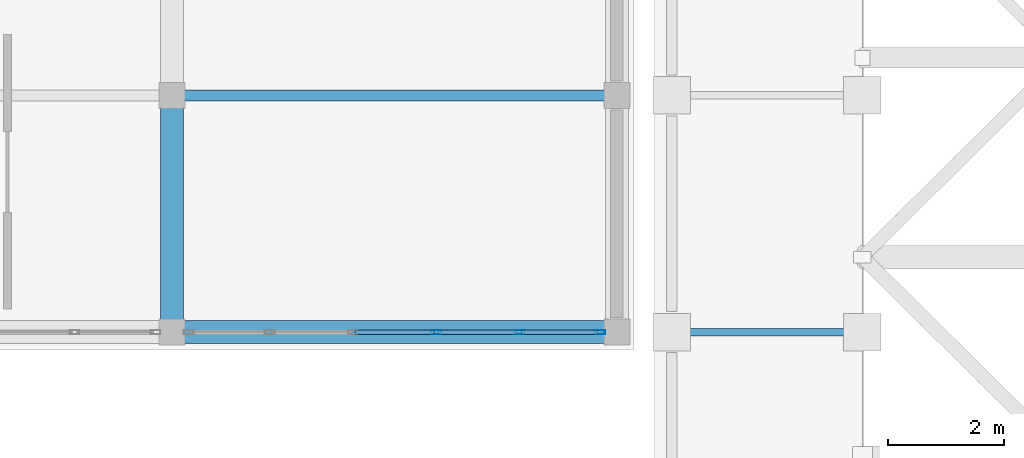
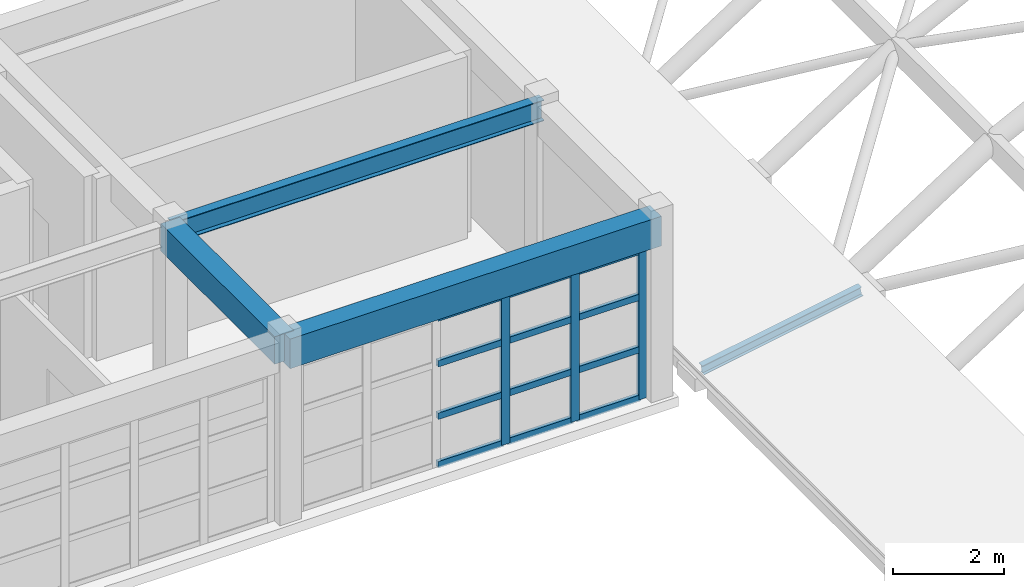
# One storey, part 16 of 52: 16 members, 3 beams, 1 element without a shape of its own.
"""IFC4 building model written with IfcOpenShell, lengths in metres."""

from ifc_helpers import new_model, si_unit, direction, frame, origin, origin_2d, place, context, subcontext, project, spatial, rectangle, hollow_rectangle, i_section, extrude, material, layer, layer_set, material_profile, profile_set, type_object, element, aggregate, save


model = new_model("IFC4")

# Units and contexts
model_context = context("Model", 3, precision=1e-05, world=origin(), true_north=direction((0.0, 1.0)))
body_context = subcontext(model_context, "Body", "Model", "MODEL_VIEW")
ifc_project = project(units=[si_unit("LENGTHUNIT", "METRE"), si_unit("AREAUNIT", "SQUARE_METRE"), si_unit("VOLUMEUNIT", "CUBIC_METRE"), si_unit("PLANEANGLEUNIT", "RADIAN"), si_unit("MASSUNIT", "GRAM", prefix="KILO")], contexts=[model_context])

# Site, building, storey
site_placement = place(None, origin())
site = spatial("IfcSite", under=ifc_project, at=site_placement, CompositionType="ELEMENT")
building_placement = place(site_placement, origin())
building = spatial("IfcBuilding", under=site, at=building_placement, Name="Candilejo Ridge Gondola Terminal", CompositionType="ELEMENT")
storey_placement = place(building_placement, frame((0.0, 0.0, 18.60009765625)))
storey = spatial("IfcBuildingStorey", under=building, at=storey_placement, Name="L04", CompositionType="ELEMENT", Elevation=18.60009765625)

# Curtain wall, members
ifc_material_1 = material(Name="Anodised aluminium AA 6063-T6", Category="aluminium")
ifc_layer = layer(ifc_material_1, 0.169921875)
ifc_layer_set = layer_set([ifc_layer], Name="ARC-CW-GALLERY-3200-720X329")
curtain_wall_type = type_object("IfcCurtainWallType", Name="ARC-CW-GALLERY-3200-720X329", PredefinedType="NOTDEFINED", material=ifc_layer_set)
curtain_wall_placement = place(storey_placement, origin())
curtain_wall = element("IfcCurtainWall", 1, at=curtain_wall_placement, inside=storey, type_object=curtain_wall_type, Name="Curtain wall V3 L04-109", PredefinedType="NOTDEFINED")
ifc_material_2 = material(Name="Anodised aluminium AA 6063-T6", Category="aluminium")
ifc_material_profile_1 = material_profile(ifc_material_2, hollow_rectangle(XDim=0.074951171875, YDim=0.169921875, WallThickness=0.00390625, at=origin_2d()))
ifc_profile_set_1 = profile_set([ifc_material_profile_1], Name="Anodised aluminium AA 6063-T6")
member_type_1 = type_object("IfcMemberType", Name="ARC-CW-MULLION", PredefinedType="MULLION", material=ifc_profile_set_1)
member_1_placement = place(storey_placement, frame((129.820068359375, 25.699951171875, 0.0), z_axis=(0.0, 0.0, 1.0), x_axis=(0.0, 1.0, 0.0)))
member_1 = element("IfcMember", 2, at=member_1_placement, type_object=member_type_1, Name="CW-72X32 mullion 4", PredefinedType="MULLION", context=body_context, shape_type="SweptSolid", body=[
    extrude(hollow_rectangle(XDim=0.074951171875, YDim=0.169921875, WallThickness=0.00390625, at=origin_2d()), origin(), (0.0, 0.0, 1.0), 3.289794921875),
])
member_2_placement = place(storey_placement, frame((131.260009765625, 25.699951171875, 0.0), z_axis=(0.0, 0.0, 1.0), x_axis=(0.0, 1.0, 0.0)))
member_2 = element("IfcMember", 3, at=member_2_placement, type_object=member_type_1, Name="CW-72X32 mullion 5", PredefinedType="MULLION", context=body_context, shape_type="SweptSolid", body=[
    extrude(hollow_rectangle(XDim=0.074951171875, YDim=0.169921875, WallThickness=0.00390625, at=origin_2d()), origin(), (0.0, 0.0, 1.0), 3.289794921875),
])
member_3_placement = place(storey_placement, frame((132.66259765625, 25.699951171875, 0.0), z_axis=(0.0, 0.0, 1.0), x_axis=(0.0, 1.0, 0.0)))
member_3 = element("IfcMember", 4, at=member_3_placement, type_object=member_type_1, Name="CW-72X32 mullion 6", PredefinedType="MULLION", context=body_context, shape_type="SweptSolid", body=[
    extrude(hollow_rectangle(XDim=0.074951171875, YDim=0.169921875, WallThickness=0.00390625, at=origin_2d()), origin(), (0.0, 0.0, 1.0), 3.289794921875),
])
ifc_material_3 = material(Name="Anodised aluminium AA 6063-T6", Category="aluminium")
ifc_material_profile_2 = material_profile(ifc_material_3, hollow_rectangle(XDim=0.074951171875, YDim=0.139892578125, WallThickness=0.00390625, at=origin_2d()))
ifc_profile_set_2 = profile_set([ifc_material_profile_2], Name="Anodised aluminium AA 6063-T6")
member_type_2 = type_object("IfcMemberType", Name="ARC-CW-TRANSOM", PredefinedType="USERDEFINED", material=ifc_profile_set_2)
member_4_placement = place(storey_placement, frame((128.41748046875, 25.699951171875, 0.037353515625), z_axis=(1.0, 0.0, 0.0), x_axis=(0.0, 1.0, 0.0)))
member_4 = element("IfcMember", 5, at=member_4_placement, type_object=member_type_2, Name="CW-72X32 transom 3.1", ObjectType="TRANSOM", PredefinedType="USERDEFINED", context=body_context, shape_type="SweptSolid", body=[
    extrude(hollow_rectangle(XDim=0.074951171875, YDim=0.139892578125, WallThickness=0.00390625, at=origin_2d()), origin(), (0.0, 0.0, 1.0), 1.364990234375),
])
member_5_placement = place(storey_placement, frame((128.41748046875, 25.699951171875, 1.099853515625), z_axis=(1.0, 0.0, 0.0), x_axis=(0.0, 1.0, 0.0)))
member_5 = element("IfcMember", 6, at=member_5_placement, type_object=member_type_2, Name="CW-72X32 transom 3.2", ObjectType="TRANSOM", PredefinedType="USERDEFINED", context=body_context, shape_type="SweptSolid", body=[
    extrude(hollow_rectangle(XDim=0.074951171875, YDim=0.139892578125, WallThickness=0.00390625, at=origin_2d()), origin(), (0.0, 0.0, 1.0), 1.364990234375),
])
member_6_placement = place(storey_placement, frame((128.41748046875, 25.699951171875, 2.25), z_axis=(1.0, 0.0, 0.0), x_axis=(0.0, 1.0, 0.0)))
member_6 = element("IfcMember", 7, at=member_6_placement, type_object=member_type_2, Name="CW-72X32 transom 3.3", ObjectType="TRANSOM", PredefinedType="USERDEFINED", context=body_context, shape_type="SweptSolid", body=[
    extrude(hollow_rectangle(XDim=0.074951171875, YDim=0.139892578125, WallThickness=0.00390625, at=origin_2d()), origin(), (0.0, 0.0, 1.0), 1.364990234375),
])
member_7_placement = place(storey_placement, frame((128.41748046875, 25.699951171875, 3.25244140625), z_axis=(1.0, 0.0, 0.0), x_axis=(0.0, 1.0, 0.0)))
member_7 = element("IfcMember", 8, at=member_7_placement, type_object=member_type_2, Name="CW-72X32 transom 3.4", ObjectType="TRANSOM", PredefinedType="USERDEFINED", context=body_context, shape_type="SweptSolid", body=[
    extrude(hollow_rectangle(XDim=0.074951171875, YDim=0.139892578125, WallThickness=0.00390625, at=origin_2d()), origin(), (0.0, 0.0, 1.0), 1.364990234375),
])
member_8_placement = place(storey_placement, frame((129.857421875, 25.699951171875, 0.037353515625), z_axis=(1.0, 0.0, 0.0), x_axis=(0.0, 1.0, 0.0)))
member_8 = element("IfcMember", 9, at=member_8_placement, type_object=member_type_2, Name="CW-72X32 transom 4.1", ObjectType="TRANSOM", PredefinedType="USERDEFINED", context=body_context, shape_type="SweptSolid", body=[
    extrude(hollow_rectangle(XDim=0.074951171875, YDim=0.139892578125, WallThickness=0.00390625, at=origin_2d()), origin(), (0.0, 0.0, 1.0), 1.364990234375),
])
member_9_placement = place(storey_placement, frame((129.857421875, 25.699951171875, 1.099853515625), z_axis=(1.0, 0.0, 0.0), x_axis=(0.0, 1.0, 0.0)))
member_9 = element("IfcMember", 10, at=member_9_placement, type_object=member_type_2, Name="CW-72X32 transom 4.2", ObjectType="TRANSOM", PredefinedType="USERDEFINED", context=body_context, shape_type="SweptSolid", body=[
    extrude(hollow_rectangle(XDim=0.074951171875, YDim=0.139892578125, WallThickness=0.00390625, at=origin_2d()), origin(), (0.0, 0.0, 1.0), 1.364990234375),
])
member_10_placement = place(storey_placement, frame((129.857421875, 25.699951171875, 2.25), z_axis=(1.0, 0.0, 0.0), x_axis=(0.0, 1.0, 0.0)))
member_10 = element("IfcMember", 11, at=member_10_placement, type_object=member_type_2, Name="CW-72X32 transom 4.3", ObjectType="TRANSOM", PredefinedType="USERDEFINED", context=body_context, shape_type="SweptSolid", body=[
    extrude(hollow_rectangle(XDim=0.074951171875, YDim=0.139892578125, WallThickness=0.00390625, at=origin_2d()), origin(), (0.0, 0.0, 1.0), 1.364990234375),
])
member_11_placement = place(storey_placement, frame((129.857421875, 25.699951171875, 3.25244140625), z_axis=(1.0, 0.0, 0.0), x_axis=(0.0, 1.0, 0.0)))
member_11 = element("IfcMember", 12, at=member_11_placement, type_object=member_type_2, Name="CW-72X32 transom 4.4", ObjectType="TRANSOM", PredefinedType="USERDEFINED", context=body_context, shape_type="SweptSolid", body=[
    extrude(hollow_rectangle(XDim=0.074951171875, YDim=0.139892578125, WallThickness=0.00390625, at=origin_2d()), origin(), (0.0, 0.0, 1.0), 1.364990234375),
])
member_12_placement = place(storey_placement, frame((131.297607421875, 25.699951171875, 0.037353515625), z_axis=(1.0, 0.0, 0.0), x_axis=(0.0, 1.0, 0.0)))
member_12 = element("IfcMember", 13, at=member_12_placement, type_object=member_type_2, Name="CW-72X32 transom 5.1", ObjectType="TRANSOM", PredefinedType="USERDEFINED", context=body_context, shape_type="SweptSolid", body=[
    extrude(hollow_rectangle(XDim=0.074951171875, YDim=0.139892578125, WallThickness=0.00390625, at=origin_2d()), origin(), (0.0, 0.0, 1.0), 1.327392578125),
])
member_13_placement = place(storey_placement, frame((131.297607421875, 25.699951171875, 1.099853515625), z_axis=(1.0, 0.0, 0.0), x_axis=(0.0, 1.0, 0.0)))
member_13 = element("IfcMember", 14, at=member_13_placement, type_object=member_type_2, Name="CW-72X32 transom 5.2", ObjectType="TRANSOM", PredefinedType="USERDEFINED", context=body_context, shape_type="SweptSolid", body=[
    extrude(hollow_rectangle(XDim=0.074951171875, YDim=0.139892578125, WallThickness=0.00390625, at=origin_2d()), origin(), (0.0, 0.0, 1.0), 1.327392578125),
])
member_14_placement = place(storey_placement, frame((131.297607421875, 25.699951171875, 2.25), z_axis=(1.0, 0.0, 0.0), x_axis=(0.0, 1.0, 0.0)))
member_14 = element("IfcMember", 15, at=member_14_placement, type_object=member_type_2, Name="CW-72X32 transom 5.3", ObjectType="TRANSOM", PredefinedType="USERDEFINED", context=body_context, shape_type="SweptSolid", body=[
    extrude(hollow_rectangle(XDim=0.074951171875, YDim=0.139892578125, WallThickness=0.00390625, at=origin_2d()), origin(), (0.0, 0.0, 1.0), 1.327392578125),
])
member_15_placement = place(storey_placement, frame((131.297607421875, 25.699951171875, 3.25244140625), z_axis=(1.0, 0.0, 0.0), x_axis=(0.0, 1.0, 0.0)))
member_15 = element("IfcMember", 16, at=member_15_placement, type_object=member_type_2, Name="CW-72X32 transom 5.4", ObjectType="TRANSOM", PredefinedType="USERDEFINED", context=body_context, shape_type="SweptSolid", body=[
    extrude(hollow_rectangle(XDim=0.074951171875, YDim=0.139892578125, WallThickness=0.00390625, at=origin_2d()), origin(), (0.0, 0.0, 1.0), 1.327392578125),
])
aggregate(curtain_wall, [member_1, member_2, member_3, member_4, member_5, member_6, member_7, member_8, member_9, member_10, member_11, member_12, member_13, member_14, member_15])

# Beams
ifc_material_4 = material(Name="Concrete f'c 35 MPa (C35/45)", Category="concrete")
ifc_material_profile_3 = material_profile(ifc_material_4, rectangle(XDim=0.39990234375, YDim=0.60009765625, at=origin_2d()))
ifc_profile_set_3 = profile_set([ifc_material_profile_3], Name="Concrete f'c 35 MPa (C35/45)")
beam_type_1 = type_object("IfcBeamType", Name="STR-BM-RC400X600", PredefinedType="BEAM", material=ifc_profile_set_3)
beam_1_placement = place(storey_placement, frame((125.25, 25.699951171875, 3.699951171875), z_axis=(0.0, 1.0, 0.0), x_axis=(-1.0, 0.0, 0.0)))
element("IfcBeam", 17, at=beam_1_placement, inside=storey, type_object=beam_type_1, Name="Beam Y V3 L04 Y05-Y06@X19", PredefinedType="BEAM", context=body_context, shape_type="SweptSolid", body=[
    extrude(rectangle(XDim=0.39990234375, YDim=0.60009765625, at=origin_2d()), origin(), (0.0, 0.0, 1.0), 4.10009765625),
])
ifc_material_5 = material(Name="Steel ASTM A992 Grade 50", Category="steel")
ifc_material_profile_4 = material_profile(ifc_material_5, i_section(OverallWidth=0.18994140625, OverallDepth=0.45703125, WebThickness=0.009033203125, FlangeThickness=0.014404296875, at=origin_2d()))
ifc_profile_set_4 = profile_set([ifc_material_profile_4], Name="Steel ASTM A992 Grade 50")
beam_type_2 = type_object("IfcBeamType", Name="STR-BM-W460X74", PredefinedType="BEAM", material=ifc_profile_set_4)
beam_2_placement = place(storey_placement, frame((125.25, 29.800048828125, 3.771484375), z_axis=(1.0, 0.0, 0.0), x_axis=(0.0, 1.0, 0.0)))
element("IfcBeam", 18, at=beam_2_placement, inside=storey, type_object=beam_type_2, Name="Beam X V3 L04 X19-X20@Y06", PredefinedType="BEAM", context=body_context, shape_type="SweptSolid", body=[
    extrude(i_section(OverallWidth=0.18994140625, OverallDepth=0.45703125, WebThickness=0.009033203125, FlangeThickness=0.014404296875, at=origin_2d()), origin(), (0.0, 0.0, 1.0), 7.699951171875),
])

# Member
ifc_material_6 = material(Name="Steel ASTM A992 Grade 50", Category="steel")
ifc_material_profile_5 = material_profile(ifc_material_6, i_section(OverallWidth=0.133056640625, OverallDepth=0.20703125, WebThickness=0.005859375, FlangeThickness=0.00830078125, at=origin_2d()))
ifc_profile_set_5 = profile_set([ifc_material_profile_5], Name="Steel ASTM A992 Grade 50")
member_type_3 = type_object("IfcMemberType", Name="STR-RAF-W200", PredefinedType="RAFTER", material=ifc_profile_set_5)
member_16_placement = place(storey_placement, frame((133.89990234375, 25.699951171875, 0.201416015625), z_axis=(0.984800423621, 0.0, 0.173689739581), x_axis=(0.0, 1.0, 0.0)))
element("IfcMember", 19, at=member_16_placement, inside=storey, type_object=member_type_3, Name="Shed roof rafter RF-V4-WEST-04", PredefinedType="RAFTER", context=body_context, shape_type="SweptSolid", body=[
    extrude(i_section(OverallWidth=0.133056640625, OverallDepth=0.20703125, WebThickness=0.005859375, FlangeThickness=0.00830078125, at=origin_2d()), origin(), (0.0, 0.0, 1.0), 3.35107421875),
])

# Beam
ifc_material_7 = material(Name="Concrete f'c 35 MPa (C35/45)", Category="concrete")
ifc_material_profile_6 = material_profile(ifc_material_7, rectangle(XDim=0.39990234375, YDim=0.64990234375, at=origin_2d()))
ifc_profile_set_6 = profile_set([ifc_material_profile_6], Name="Concrete f'c 35 MPa (C35/45)")
beam_type_3 = type_object("IfcBeamType", Name="STR-SPN-RC400X650", PredefinedType="SPANDREL", material=ifc_profile_set_6)
beam_3_placement = place(storey_placement, frame((125.25, 25.699951171875, 3.6748046875), z_axis=(1.0, 0.0, 0.0), x_axis=(0.0, 1.0, 0.0)))
element("IfcBeam", 20, at=beam_3_placement, inside=storey, type_object=beam_type_3, Name="Beam X V3 L04 X19-X20@Y05", PredefinedType="SPANDREL", context=body_context, shape_type="SweptSolid", body=[
    extrude(rectangle(XDim=0.39990234375, YDim=0.64990234375, at=origin_2d()), origin(), (0.0, 0.0, 1.0), 7.699951171875),
])

save(model, "model.ifc")
